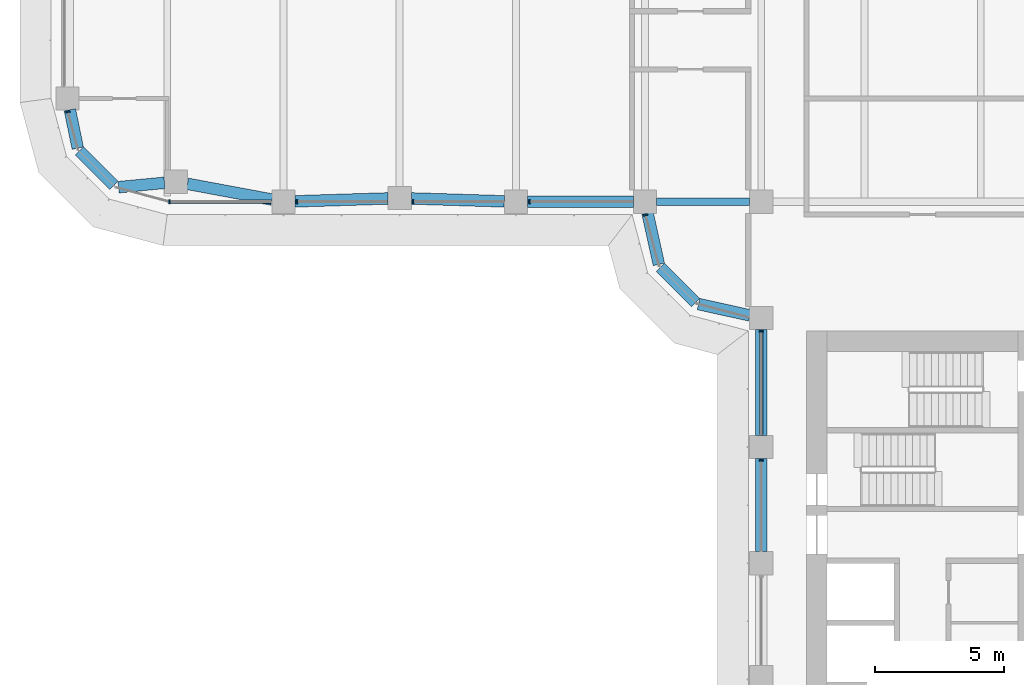
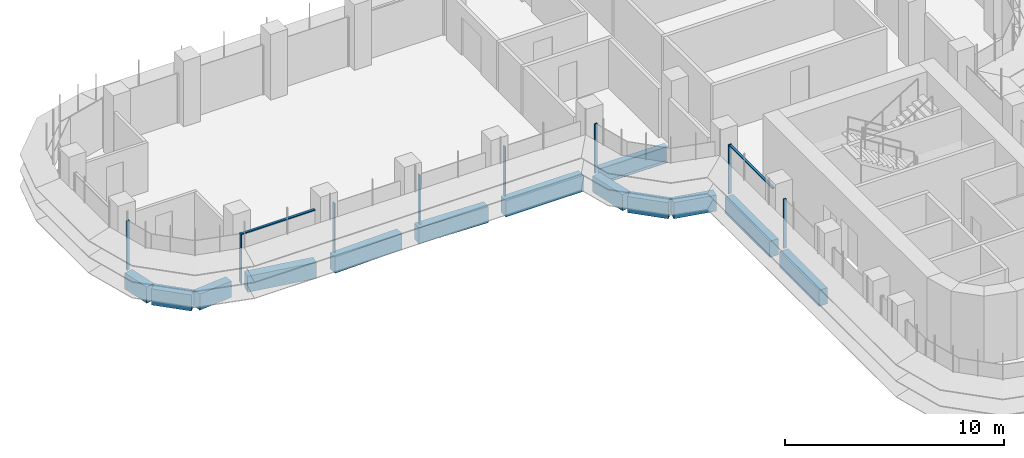
# One storey, part 3 of 22: 13 beams, 10 members, 4 elements without a shape of their own.
"""IFC4 building model written with IfcOpenShell, lengths in metres."""

from ifc_helpers import new_model, si_unit, direction, frame, origin, origin_2d, place, context, subcontext, project, spatial, polyline, rectangle, i_section, outline, extrude, source, transform, mapped, material, material_profile, profile_set, type_object, element, aggregate, save


model = new_model("IFC4")

# Units and contexts
model_context = context("Model", 3, precision=1e-05, world=origin(), true_north=direction((0.0, 1.0)))
body_context = subcontext(model_context, "Body", "Model", "MODEL_VIEW")
ifc_project = project(units=[si_unit("LENGTHUNIT", "METRE"), si_unit("AREAUNIT", "SQUARE_METRE"), si_unit("VOLUMEUNIT", "CUBIC_METRE"), si_unit("PLANEANGLEUNIT", "RADIAN"), si_unit("MASSUNIT", "GRAM", prefix="KILO")], contexts=[model_context])

# Site, building, storey
site_placement = place(None, origin())
site = spatial("IfcSite", under=ifc_project, at=site_placement, CompositionType="ELEMENT")
building_placement = place(site_placement, origin())
building = spatial("IfcBuilding", under=site, at=building_placement, Name="Zarbagh Exchange Tower", CompositionType="ELEMENT")
storey_placement = place(building_placement, frame((0.0, 0.0, 94.199951171875)))
storey = spatial("IfcBuildingStorey", under=building, at=storey_placement, Name="L21", CompositionType="ELEMENT", Elevation=94.199951171875)

# Beams
ifc_material_1 = material(Name="Steel ASTM A992 Gr 50", Category="steel")
ifc_material_profile_1 = material_profile(ifc_material_1, i_section(OverallWidth=0.3046875, OverallDepth=0.911865234375, WebThickness=0.015869140625, FlangeThickness=0.02392578125, at=origin_2d()), Name="W36X150")
ifc_profile_set_1 = profile_set([ifc_material_profile_1], Name="Steel ASTM A992 Gr 50")
beam_type_1 = type_object("IfcBeamType", Name="Floor girder W36X150", PredefinedType="BEAM", material=ifc_profile_set_1)
beam_1_placement = place(storey_placement, frame((-10.300048828125, -6.25, -0.60595703125), z_axis=(1.0, 0.0, 0.0), x_axis=(0.0, 1.0, 0.0)))
element("IfcBeam", 1, at=beam_1_placement, inside=storey, type_object=beam_type_1, Name="Steel girder", PredefinedType="BEAM", context=body_context, shape_type="SweptSolid", body=[
    extrude(i_section(OverallWidth=0.3046875, OverallDepth=0.911865234375, WebThickness=0.015869140625, FlangeThickness=0.02392578125, at=origin_2d()), origin(), (0.0, 0.0, 1.0), 3.60009765625),
])
ifc_material_2 = material(Name="Concrete C60/75", Category="concrete")
ifc_material_profile_2 = material_profile(ifc_material_2, rectangle(XDim=0.449951171875, YDim=0.89990234375, at=origin_2d()), Name="RC spandrel beam 450 x 900 C60/75")
ifc_profile_set_2 = profile_set([ifc_material_profile_2], Name="Concrete C60/75")
beam_type_2 = type_object("IfcBeamType", Name="RC spandrel beam 450 x 900 C60/75", PredefinedType="SPANDREL", material=ifc_profile_set_2)
beam_2_placement = place(storey_placement, frame((-6.25, -19.800048828125, -0.599853515625), z_axis=(0.0, 1.0, 0.0), x_axis=(-1.0, 0.0, 0.0)))
element("IfcBeam", 2, at=beam_2_placement, inside=storey, type_object=beam_type_2, Name="RC spandrel beam", PredefinedType="SPANDREL", context=body_context, shape_type="SweptSolid", body=[
    extrude(rectangle(XDim=0.449951171875, YDim=0.89990234375, at=origin_2d()), origin(), (0.0, 0.0, 1.0), 3.60009765625),
])
beam_3_placement = place(storey_placement, frame((-6.25, -15.300048828125, -0.599853515625), z_axis=(0.0, 1.0, 0.0), x_axis=(-1.0, 0.0, 0.0)))
element("IfcBeam", 3, at=beam_3_placement, inside=storey, type_object=beam_type_2, Name="RC spandrel beam", PredefinedType="SPANDREL", context=body_context, shape_type="SweptSolid", body=[
    extrude(rectangle(XDim=0.449951171875, YDim=0.89990234375, at=origin_2d()), origin(), (0.0, 0.0, 1.0), 4.10009765625),
])
beam_4_placement = place(storey_placement, frame((-6.689453125, -10.65283203125, -0.599853515625), z_axis=(-0.976367325525, 0.216117666208, 0.0), x_axis=(-0.216117666208, -0.976367325525, 0.0)))
element("IfcBeam", 4, at=beam_4_placement, inside=storey, type_object=beam_type_2, Name="RC spandrel beam", PredefinedType="SPANDREL", context=body_context, shape_type="SweptSolid", body=[
    extrude(rectangle(XDim=0.449951171875, YDim=0.89990234375, at=origin_2d()), origin(), (0.0, 0.0, 1.0), 2.03564453125),
])
beam_5_placement = place(storey_placement, frame((-8.78759765625, -10.15234375, -0.599853515625), z_axis=(-0.707106781187, 0.707106781187, 0.0), x_axis=(-0.707106781187, -0.707106781187, 0.0)))
element("IfcBeam", 5, at=beam_5_placement, inside=storey, type_object=beam_type_2, Name="RC spandrel beam", PredefinedType="SPANDREL", context=body_context, shape_type="SweptSolid", body=[
    extrude(rectangle(XDim=0.449951171875, YDim=0.89990234375, at=origin_2d()), origin(), (0.0, 0.0, 1.0), 1.929931640625),
])
beam_6_placement = place(storey_placement, frame((-10.212890625, -8.677001953125, -0.599853515625), z_axis=(-0.216117666208, 0.976367325525, 0.0), x_axis=(-0.976367325525, -0.216117666208, 0.0)))
element("IfcBeam", 6, at=beam_6_placement, inside=storey, type_object=beam_type_2, Name="RC spandrel beam", PredefinedType="SPANDREL", context=body_context, shape_type="SweptSolid", body=[
    extrude(rectangle(XDim=0.449951171875, YDim=0.89990234375, at=origin_2d()), origin(), (0.0, 0.0, 1.0), 2.03564453125),
])
beam_7_placement = place(storey_placement, frame((-11.199951171875, -6.25, -0.599853515625), z_axis=(-1.0, 0.0, 0.0), x_axis=(0.0, -1.0, 0.0)))
element("IfcBeam", 7, at=beam_7_placement, inside=storey, type_object=beam_type_2, Name="RC spandrel beam", PredefinedType="SPANDREL", context=body_context, shape_type="SweptSolid", body=[
    extrude(rectangle(XDim=0.449951171875, YDim=0.89990234375, at=origin_2d()), origin(), (0.0, 0.0, 1.0), 4.10009765625),
])
for number, where, z_axis, x_axis, name in (
    (8, (-16.19970703125, -6.236083984375, -0.599853515625), (-0.999516035224, 0.031107801747, 0.0), (-0.031107801747, -0.999516035224, 0.0), "RC spandrel beam"),
    (9, (-20.69970703125, -6.1240234375, -0.599853515625), (-0.999516035224, -0.031107801747, 0.0), (0.031107801747, -0.999516035224, 0.0), "RC spandrel beam"),
):
    element("IfcBeam", number, at=place(storey_placement, frame(where, z_axis=z_axis, x_axis=x_axis)), inside=storey, type_object=beam_type_2, Name=name, PredefinedType="SPANDREL", context=body_context, shape_type="SweptSolid", body=[
        extrude(rectangle(XDim=0.449951171875, YDim=0.89990234375, at=origin_2d()), origin(), (0.0, 0.0, 1.0), 3.602294921875),
    ])
beam_8_placement = place(storey_placement, frame((-25.1923828125, -6.16748046875, -0.599853515625), z_axis=(-0.98308156541, 0.183168326277, 0.0), x_axis=(-0.183168326277, -0.98308156541, 0.0)))
element("IfcBeam", 10, at=beam_8_placement, inside=storey, type_object=beam_type_2, Name="RC spandrel beam", PredefinedType="SPANDREL", context=body_context, shape_type="SweptSolid", body=[
    extrude(rectangle(XDim=0.449951171875, YDim=0.89990234375, at=origin_2d()), origin(), (0.0, 0.0, 1.0), 3.32958984375),
])
beam_9_placement = place(storey_placement, frame((-29.35595703125, -5.51806640625, -0.599853515625), z_axis=(-0.995433267802, -0.095459988228, 0.0), x_axis=(0.095459988228, -0.995433267802, 0.0)))
element("IfcBeam", 11, at=beam_9_placement, inside=storey, type_object=beam_type_2, Name="RC spandrel beam", PredefinedType="SPANDREL", context=body_context, shape_type="SweptSolid", body=[
    extrude(rectangle(XDim=0.449951171875, YDim=0.89990234375, at=origin_2d()), origin(), (0.0, 0.0, 1.0), 1.78759765625),
])
beam_10_placement = place(storey_placement, frame((-31.316162109375, -5.623779296875, -0.599853515625), z_axis=(-0.707106781187, 0.707106781187, 0.0), x_axis=(-0.707106781187, -0.707106781187, 0.0)))
element("IfcBeam", 12, at=beam_10_placement, inside=storey, type_object=beam_type_2, Name="RC spandrel beam", PredefinedType="SPANDREL", context=body_context, shape_type="SweptSolid", body=[
    extrude(rectangle(XDim=0.449951171875, YDim=0.89990234375, at=origin_2d()), origin(), (0.0, 0.0, 1.0), 1.887939453125),
])
beam_11_placement = place(storey_placement, frame((-32.71240234375, -4.17529296875, -0.599853515625), z_axis=(-0.202275417995, 0.979328675816, 0.0), x_axis=(-0.979328675816, -0.202275417995, 0.0)))
element("IfcBeam", 13, at=beam_11_placement, inside=storey, type_object=beam_type_2, Name="RC spandrel beam", PredefinedType="SPANDREL", context=body_context, shape_type="SweptSolid", body=[
    extrude(rectangle(XDim=0.449951171875, YDim=0.89990234375, at=origin_2d()), origin(), (0.0, 0.0, 1.0), 1.515869140625),
])

# Curtain wall, member
ifc_material_3 = material(Name="Anodised aluminium frame and glazing", Category="aluminium")
curtain_wall_type = type_object("IfcCurtainWallType", Name="CWA Ribbon glazing, lower zones", PredefinedType="NOTDEFINED", material=ifc_material_3)
curtain_wall_1_placement = place(storey_placement, origin())
curtain_wall_1 = element("IfcCurtainWall", 14, at=curtain_wall_1_placement, inside=storey, type_object=curtain_wall_type, Name="CWA37 curtain wall", PredefinedType="NOTDEFINED")
ifc_material_4 = material(Name="Anodised aluminium frame", Category="aluminium")
member_type_1 = type_object("IfcMemberType", Name="MUA Mullion, anodised aluminium frame", PredefinedType="MULLION", material=ifc_material_4)
shared_shape_1 = source(origin(), body_context, "Body", "SweptSolid", [
    extrude(outline(polyline([(0.0, -0.080078125), (0.06005859375, -0.080078125), (0.06005859375, 0.080078125), (0.0, 0.080078125), (0.0, -0.080078125)])), origin(), (0.0, 0.0, 1.0), 2.75),
])
placement = place(storey_placement, origin())
member_1 = element("IfcMember", 15, at=placement, type_object=member_type_1, Name="CWA37 mullion 1.1", PredefinedType="MULLION", context=body_context, shape_type="MappedRepresentation", body=[
    mapped(shared_shape_1, transform((-33.10107421875, -2.739990234375, 0.0), x_axis=(0.258824779902, -0.965924289636, 0.0), y_axis=(0.965924289636, 0.258824779902, 0.0), z_axis=(0.0, 0.0, 1.0))),
])
aggregate(curtain_wall_1, [member_1])

# Curtain wall, members
curtain_wall_2_placement = place(storey_placement, origin())
curtain_wall_2 = element("IfcCurtainWall", 16, at=curtain_wall_2_placement, inside=storey, type_object=curtain_wall_type, Name="CWA40 curtain wall", PredefinedType="NOTDEFINED")
member_2 = element("IfcMember", 17, at=placement, type_object=member_type_1, Name="CWA40 mullion 1.1", PredefinedType="MULLION", context=body_context, shape_type="MappedRepresentation", body=[
    mapped(shared_shape_1, transform((-29.18408203125, -6.25, 0.0), x_axis=(1.0, 0.0, 0.0), y_axis=(0.0, 1.0, 0.0), z_axis=(0.0, 0.0, 1.0))),
])
member_3 = element("IfcMember", 18, at=placement, type_object=member_type_1, Name="CWA40 mullion 2.1", PredefinedType="MULLION", context=body_context, shape_type="MappedRepresentation", body=[
    mapped(shared_shape_1, transform((-24.260009765625, -6.25, 0.0), x_axis=(1.0, 0.0, 0.0), y_axis=(0.0, 1.0, 0.0), z_axis=(0.0, 0.0, 1.0))),
])
member_4 = element("IfcMember", 19, at=placement, type_object=member_type_1, Name="CWA40 mullion 3.1", PredefinedType="MULLION", context=body_context, shape_type="MappedRepresentation", body=[
    mapped(shared_shape_1, transform((-19.760009765625, -6.25, 0.0), x_axis=(1.0, 0.0, 0.0), y_axis=(0.0, 1.0, 0.0), z_axis=(0.0, 0.0, 1.0))),
])
member_5 = element("IfcMember", 20, at=placement, type_object=member_type_1, Name="CWA40 mullion 4.1", PredefinedType="MULLION", context=body_context, shape_type="MappedRepresentation", body=[
    mapped(shared_shape_1, transform((-15.260009765625, -6.25, 0.0), x_axis=(1.0, 0.0, 0.0), y_axis=(0.0, 1.0, 0.0), z_axis=(0.0, 0.0, 1.0))),
])

# Curtain wall, member
curtain_wall_3_placement = place(storey_placement, origin())
curtain_wall_3 = element("IfcCurtainWall", 21, at=curtain_wall_3_placement, inside=storey, type_object=curtain_wall_type, Name="CWA41 curtain wall", PredefinedType="NOTDEFINED")
member_6 = element("IfcMember", 22, at=placement, type_object=member_type_1, Name="CWA41 mullion 1.1", PredefinedType="MULLION", context=body_context, shape_type="MappedRepresentation", body=[
    mapped(shared_shape_1, transform((-10.735107421875, -6.739990234375, 0.0), x_axis=(0.258824779902, -0.965924289636, 0.0), y_axis=(0.965924289636, 0.258824779902, 0.0), z_axis=(0.0, 0.0, 1.0))),
])
aggregate(curtain_wall_3, [member_6])

# Curtain wall, members
curtain_wall_4_placement = place(storey_placement, origin())
curtain_wall_4 = element("IfcCurtainWall", 23, at=curtain_wall_4_placement, inside=storey, type_object=curtain_wall_type, Name="CWA44 curtain wall", PredefinedType="NOTDEFINED")
member_7 = element("IfcMember", 24, at=placement, type_object=member_type_1, Name="CWA44 mullion 1.1", PredefinedType="MULLION", context=body_context, shape_type="MappedRepresentation", body=[
    mapped(shared_shape_1, transform((-6.25, -11.239990234375, 0.0), x_axis=(0.0, -1.0, 0.0), y_axis=(1.0, 0.0, 0.0), z_axis=(0.0, 0.0, 1.0))),
])
member_8 = element("IfcMember", 25, at=placement, type_object=member_type_1, Name="CWA44 mullion 2.1", PredefinedType="MULLION", context=body_context, shape_type="MappedRepresentation", body=[
    mapped(shared_shape_1, transform((-6.25, -16.239990234375, 0.0), x_axis=(0.0, -1.0, 0.0), y_axis=(1.0, 0.0, 0.0), z_axis=(0.0, 0.0, 1.0))),
])
member_type_2 = type_object("IfcMemberType", Name="TRA Transom, anodised aluminium frame", PredefinedType="USERDEFINED", material=ifc_material_4)
shared_shape_2 = source(origin(), body_context, "Body", "SweptSolid", [
    extrude(outline(polyline([(-0.06005859375, -0.06005859375), (0.0, -0.06005859375), (0.0, 0.06005859375), (-0.06005859375, 0.06005859375), (-0.06005859375, -0.06005859375)])), origin(), (0.0, 0.0, 1.0), 3.9599609375),
])
member_9 = element("IfcMember", 26, at=placement, type_object=member_type_2, Name="CWA44 transom 1.1", ObjectType="TRANSOM", PredefinedType="USERDEFINED", context=body_context, shape_type="MappedRepresentation", body=[
    mapped(shared_shape_2, transform((-6.25, -11.300048828125, 2.75), x_axis=(0.0, 0.0, 1.0), y_axis=(-1.0, 0.0, 0.0), z_axis=(0.0, -1.0, 0.0))),
])
aggregate(curtain_wall_4, [member_7, member_9, member_8])

# Member
shared_shape_3 = source(origin(), body_context, "Body", "SweptSolid", [
    extrude(outline(polyline([(-0.06005859375, -0.06005859375), (0.0, -0.06005859375), (0.0, 0.06005859375), (-0.06005859375, 0.06005859375), (-0.06005859375, -0.06005859375)])), origin(), (0.0, 0.0, 1.0), 3.88427734375),
])
member_10 = element("IfcMember", 27, at=placement, type_object=member_type_2, Name="CWA40 transom 1.1", ObjectType="TRANSOM", PredefinedType="USERDEFINED", context=body_context, shape_type="MappedRepresentation", body=[
    mapped(shared_shape_3, transform((-29.124267578125, -6.25, 2.75), x_axis=(0.0, 0.0, 1.0), y_axis=(0.0, -1.0, 0.0), z_axis=(1.0, 0.0, 0.0))),
])

aggregate(curtain_wall_2, [member_2, member_10, member_3, member_4, member_5])

save(model, "model.ifc")
